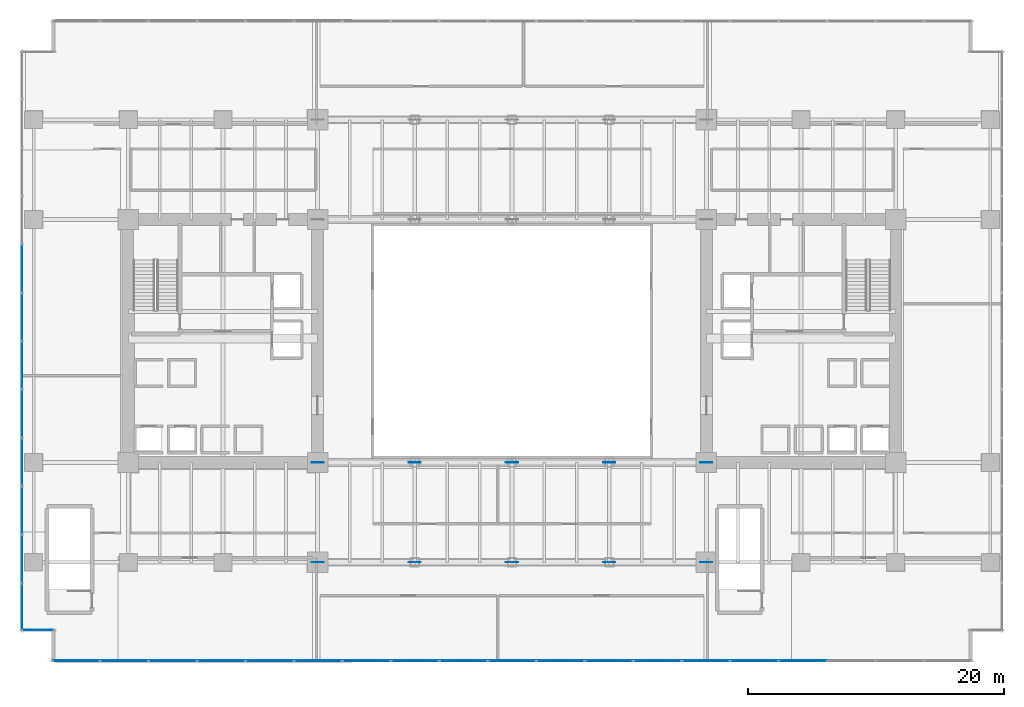
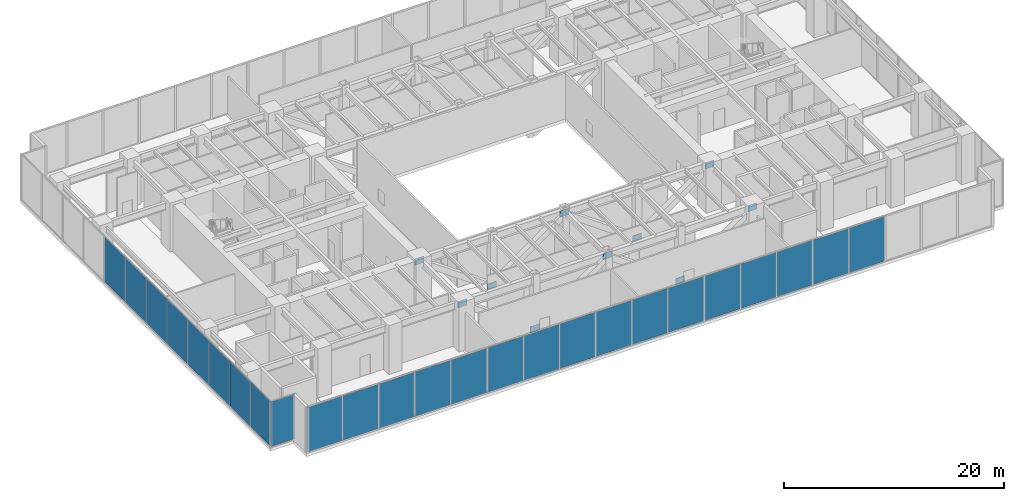
# One storey, part 24 of 35: 35 plates, 3 elements without a shape of their own.
"""IFC4 building model written with IfcOpenShell, lengths in metres."""

from ifc_helpers import new_model, si_unit, direction, frame, origin, origin_2d, place, context, subcontext, project, spatial, rectangle, extrude, source, transform, mapped, material, layer, layer_set, type_object, type_shapes, element, aggregate, save


model = new_model("IFC4")

# Units and contexts
model_context = context("Model", 3, precision=1e-05, world=origin(), true_north=direction((0.0, 1.0)))
body_context = subcontext(model_context, "Body", "Model", "MODEL_VIEW")
ifc_project = project(units=[si_unit("LENGTHUNIT", "METRE"), si_unit("AREAUNIT", "SQUARE_METRE"), si_unit("VOLUMEUNIT", "CUBIC_METRE"), si_unit("PLANEANGLEUNIT", "RADIAN"), si_unit("MASSUNIT", "GRAM", prefix="KILO")], contexts=[model_context])

# Site, building, storey
site_placement = place(None, origin())
site = spatial("IfcSite", under=ifc_project, at=site_placement, CompositionType="ELEMENT")
building_placement = place(site_placement, origin())
building = spatial("IfcBuilding", under=site, at=building_placement, Name="Haelvirn Gate Laboratories", CompositionType="ELEMENT")
storey_placement = place(building_placement, frame((0.0, 0.0, 19.800048828125)))
storey = spatial("IfcBuildingStorey", under=building, at=storey_placement, Name="L05", CompositionType="ELEMENT", Elevation=19.800048828125)

# Plates
ifc_material_1 = material(Name="Steel SM420", Category="steel")
ifc_layer_1 = layer(ifc_material_1, 0.035888671875, Name="PL-NODE-TN1")
ifc_layer_set_1 = layer_set([ifc_layer_1], Name="Steel SM420")
plate_type_1 = type_object("IfcPlateType", Name="PL-NODE-TN1", PredefinedType="USERDEFINED", material=ifc_layer_set_1)
shared_shape_1 = source(origin(), body_context, "Body", "SweptSolid", [
    extrude(rectangle(XDim=0.949951171875, YDim=0.035888671875, at=origin_2d()), origin(), (0.0, 0.0, 1.0), 0.699951171875),
])
type_shapes(plate_type_1, [shared_shape_1])
for number, where, z_axis, x_axis, name in (
    (1, (22.199951171875, 7.0, 4.27978515625), (0.0, 0.0, 1.0), (1.0, 0.0, 0.0), "L05 Steel Truss Node Plate TN1"),
    (2, (29.800048828125, 7.0, -1.14990234375), (0.0, 0.0, 1.0), (1.0, 0.0, 0.0), "L05 Steel Truss Node Plate TN1"),
    (3, (37.39990234375, 7.0, 4.27978515625), (0.0, 0.0, 1.0), (1.0, 0.0, 0.0), "L05 Steel Truss Node Plate TN1"),
    (4, (45.0, 7.0, -1.14990234375), (0.0, 0.0, 1.0), (1.0, 0.0, 0.0), "L05 Steel Truss Node Plate TN1"),
    (5, (52.60009765625, 7.0, 4.27978515625), (0.0, 0.0, 1.0), (1.0, 0.0, 0.0), "L05 Steel Truss Node Plate TN1"),
    (6, (22.199951171875, 14.800048828125, 4.27978515625), (0.0, 0.0, 1.0), (1.0, 0.0, 0.0), "L05 Steel Truss Node Plate TN1"),
    (7, (29.800048828125, 14.800048828125, -1.14990234375), (0.0, 0.0, 1.0), (1.0, 0.0, 0.0), "L05 Steel Truss Node Plate TN1"),
    (8, (37.39990234375, 14.800048828125, 4.27978515625), (0.0, 0.0, 1.0), (1.0, 0.0, 0.0), "L05 Steel Truss Node Plate TN1"),
    (9, (45.0, 14.800048828125, -1.14990234375), (0.0, 0.0, 1.0), (1.0, 0.0, 0.0), "L05 Steel Truss Node Plate TN1"),
    (10, (52.60009765625, 14.800048828125, 4.27978515625), (0.0, 0.0, 1.0), (1.0, 0.0, 0.0), "L05 Steel Truss Node Plate TN1"),
):
    element("IfcPlate", number, at=place(storey_placement, frame(where, z_axis=z_axis, x_axis=x_axis)), inside=storey, type_object=plate_type_1, Name=name, ObjectType="GUSSET_PLATE", PredefinedType="USERDEFINED", context=body_context, shape_type="MappedRepresentation", body=[
        mapped(shared_shape_1, transform((0.0, 0.0, 0.0), scale=1.0)),
    ])

# Curtain wall, plates
ifc_material_2 = material(Name="Anodised bronze unitised aluminium & triple low-E glass", Category="aluminium")
ifc_layer_2 = layer(ifc_material_2, 0.18798828125, Name="CW-SYS-1")
ifc_layer_set_2 = layer_set([ifc_layer_2], Name="Anodised bronze unitised aluminium & triple low-E glass")
curtain_wall_type_1 = type_object("IfcCurtainWallType", Name="CW-SYS-1", PredefinedType="NOTDEFINED", material=ifc_layer_set_2)
curtain_wall_1_placement = place(storey_placement, origin())
curtain_wall_1 = element("IfcCurtainWall", 11, at=curtain_wall_1_placement, inside=storey, type_object=curtain_wall_type_1, Name="L05 Unitised Curtain Wall CW-L05-P0-E00-1", PredefinedType="NOTDEFINED")
ifc_material_3 = material(Name="Bronze solar-control triple low-E IGU 48 mm", Category="glass")
ifc_layer_3 = layer(ifc_material_3, 0.048095703125, Name="CWP-IGU-48")
ifc_layer_set_3 = layer_set([ifc_layer_3], Name="Bronze solar-control triple low-E IGU 48 mm")
plate_type_2 = type_object("IfcPlateType", Name="CWP-IGU-48", PredefinedType="CURTAIN_PANEL", material=ifc_layer_set_3)
shared_shape_2 = source(origin(), body_context, "Body", "SweptSolid", [
    extrude(rectangle(XDim=3.66943359375, YDim=0.048095703125, at=origin_2d()), origin(), (0.0, 0.0, 1.0), 4.93994140625),
])
plate_1_placement = place(storey_placement, frame((3.314697265625, -0.699951171875, 0.070068359375), z_axis=(0.0, 0.0, 1.0), x_axis=(1.0, 0.0, 0.0)))
plate_1 = element("IfcPlate", 12, at=plate_1_placement, type_object=plate_type_2, Name="CW1 panel 1.1", PredefinedType="CURTAIN_PANEL", context=body_context, shape_type="MappedRepresentation", body=[
    mapped(shared_shape_2, transform((0.0, 0.0, 0.0), scale=1.0)),
])
shared_shape_3 = source(origin(), body_context, "Body", "SweptSolid", [
    extrude(rectangle(XDim=3.70947265625, YDim=0.048095703125, at=origin_2d()), origin(), (0.0, 0.0, 1.0), 4.93994140625),
])
plate_2_placement = place(storey_placement, frame((7.084228515625, -0.699951171875, 0.070068359375), z_axis=(0.0, 0.0, 1.0), x_axis=(1.0, 0.0, 0.0)))
plate_2 = element("IfcPlate", 13, at=plate_2_placement, type_object=plate_type_2, Name="CW1 panel 2.1", PredefinedType="CURTAIN_PANEL", context=body_context, shape_type="MappedRepresentation", body=[
    mapped(shared_shape_3, transform((0.0, 0.0, 0.0), scale=1.0)),
])
plate_3_placement = place(storey_placement, frame((10.873779296875, -0.699951171875, 0.070068359375), z_axis=(0.0, 0.0, 1.0), x_axis=(1.0, 0.0, 0.0)))
plate_3 = element("IfcPlate", 14, at=plate_3_placement, type_object=plate_type_2, Name="CW1 panel 3.1", PredefinedType="CURTAIN_PANEL", context=body_context, shape_type="MappedRepresentation", body=[
    mapped(shared_shape_3, transform((0.0, 0.0, 0.0), scale=1.0)),
])
plate_4_placement = place(storey_placement, frame((14.6630859375, -0.699951171875, 0.070068359375), z_axis=(0.0, 0.0, 1.0), x_axis=(1.0, 0.0, 0.0)))
plate_4 = element("IfcPlate", 15, at=plate_4_placement, type_object=plate_type_2, Name="CW1 panel 4.1", PredefinedType="CURTAIN_PANEL", context=body_context, shape_type="MappedRepresentation", body=[
    mapped(shared_shape_3, transform((0.0, 0.0, 0.0), scale=1.0)),
])
plate_5_placement = place(storey_placement, frame((18.45263671875, -0.699951171875, 0.070068359375), z_axis=(0.0, 0.0, 1.0), x_axis=(1.0, 0.0, 0.0)))
plate_5 = element("IfcPlate", 16, at=plate_5_placement, type_object=plate_type_2, Name="CW1 panel 5.1", PredefinedType="CURTAIN_PANEL", context=body_context, shape_type="MappedRepresentation", body=[
    mapped(shared_shape_3, transform((0.0, 0.0, 0.0), scale=1.0)),
])
plate_6_placement = place(storey_placement, frame((22.2421875, -0.699951171875, 0.070068359375), z_axis=(0.0, 0.0, 1.0), x_axis=(1.0, 0.0, 0.0)))
plate_6 = element("IfcPlate", 17, at=plate_6_placement, type_object=plate_type_2, Name="CW1 panel 6.1", PredefinedType="CURTAIN_PANEL", context=body_context, shape_type="MappedRepresentation", body=[
    mapped(shared_shape_3, transform((0.0, 0.0, 0.0), scale=1.0)),
])
plate_7_placement = place(storey_placement, frame((26.031494140625, -0.699951171875, 0.070068359375), z_axis=(0.0, 0.0, 1.0), x_axis=(1.0, 0.0, 0.0)))
plate_7 = element("IfcPlate", 18, at=plate_7_placement, type_object=plate_type_2, Name="CW1 panel 7.1", PredefinedType="CURTAIN_PANEL", context=body_context, shape_type="MappedRepresentation", body=[
    mapped(shared_shape_3, transform((0.0, 0.0, 0.0), scale=1.0)),
])
plate_8_placement = place(storey_placement, frame((29.821044921875, -0.699951171875, 0.070068359375), z_axis=(0.0, 0.0, 1.0), x_axis=(1.0, 0.0, 0.0)))
plate_8 = element("IfcPlate", 19, at=plate_8_placement, type_object=plate_type_2, Name="CW1 panel 8.1", PredefinedType="CURTAIN_PANEL", context=body_context, shape_type="MappedRepresentation", body=[
    mapped(shared_shape_3, transform((0.0, 0.0, 0.0), scale=1.0)),
])
plate_9_placement = place(storey_placement, frame((33.610595703125, -0.699951171875, 0.070068359375), z_axis=(0.0, 0.0, 1.0), x_axis=(1.0, 0.0, 0.0)))
plate_9 = element("IfcPlate", 20, at=plate_9_placement, type_object=plate_type_2, Name="CW1 panel 9.1", PredefinedType="CURTAIN_PANEL", context=body_context, shape_type="MappedRepresentation", body=[
    mapped(shared_shape_3, transform((0.0, 0.0, 0.0), scale=1.0)),
])
plate_10_placement = place(storey_placement, frame((37.39990234375, -0.699951171875, 0.070068359375), z_axis=(0.0, 0.0, 1.0), x_axis=(1.0, 0.0, 0.0)))
plate_10 = element("IfcPlate", 21, at=plate_10_placement, type_object=plate_type_2, Name="CW1 panel 10.1", PredefinedType="CURTAIN_PANEL", context=body_context, shape_type="MappedRepresentation", body=[
    mapped(shared_shape_3, transform((0.0, 0.0, 0.0), scale=1.0)),
])
plate_11_placement = place(storey_placement, frame((41.189453125, -0.699951171875, 0.070068359375), z_axis=(0.0, 0.0, 1.0), x_axis=(1.0, 0.0, 0.0)))
plate_11 = element("IfcPlate", 22, at=plate_11_placement, type_object=plate_type_2, Name="CW1 panel 11.1", PredefinedType="CURTAIN_PANEL", context=body_context, shape_type="MappedRepresentation", body=[
    mapped(shared_shape_3, transform((0.0, 0.0, 0.0), scale=1.0)),
])
plate_12_placement = place(storey_placement, frame((44.97900390625, -0.699951171875, 0.070068359375), z_axis=(0.0, 0.0, 1.0), x_axis=(1.0, 0.0, 0.0)))
plate_12 = element("IfcPlate", 23, at=plate_12_placement, type_object=plate_type_2, Name="CW1 panel 12.1", PredefinedType="CURTAIN_PANEL", context=body_context, shape_type="MappedRepresentation", body=[
    mapped(shared_shape_3, transform((0.0, 0.0, 0.0), scale=1.0)),
])
plate_13_placement = place(storey_placement, frame((48.768310546875, -0.699951171875, 0.070068359375), z_axis=(0.0, 0.0, 1.0), x_axis=(1.0, 0.0, 0.0)))
plate_13 = element("IfcPlate", 24, at=plate_13_placement, type_object=plate_type_2, Name="CW1 panel 13.1", PredefinedType="CURTAIN_PANEL", context=body_context, shape_type="MappedRepresentation", body=[
    mapped(shared_shape_3, transform((0.0, 0.0, 0.0), scale=1.0)),
])
plate_14_placement = place(storey_placement, frame((52.557861328125, -0.699951171875, 0.070068359375), z_axis=(0.0, 0.0, 1.0), x_axis=(1.0, 0.0, 0.0)))
plate_14 = element("IfcPlate", 25, at=plate_14_placement, type_object=plate_type_2, Name="CW1 panel 14.1", PredefinedType="CURTAIN_PANEL", context=body_context, shape_type="MappedRepresentation", body=[
    mapped(shared_shape_3, transform((0.0, 0.0, 0.0), scale=1.0)),
])
plate_15_placement = place(storey_placement, frame((56.347412109375, -0.699951171875, 0.070068359375), z_axis=(0.0, 0.0, 1.0), x_axis=(1.0, 0.0, 0.0)))
plate_15 = element("IfcPlate", 26, at=plate_15_placement, type_object=plate_type_2, Name="CW1 panel 15.1", PredefinedType="CURTAIN_PANEL", context=body_context, shape_type="MappedRepresentation", body=[
    mapped(shared_shape_3, transform((0.0, 0.0, 0.0), scale=1.0)),
])
plate_16_placement = place(storey_placement, frame((60.136962890625, -0.699951171875, 0.070068359375), z_axis=(0.0, 0.0, 1.0), x_axis=(1.0, 0.0, 0.0)))
plate_16 = element("IfcPlate", 27, at=plate_16_placement, type_object=plate_type_2, Name="CW1 panel 16.1", PredefinedType="CURTAIN_PANEL", context=body_context, shape_type="MappedRepresentation", body=[
    mapped(shared_shape_3, transform((0.0, 0.0, 0.0), scale=1.0)),
])
aggregate(curtain_wall_1, [plate_1, plate_2, plate_3, plate_4, plate_5, plate_6, plate_7, plate_8, plate_9, plate_10, plate_11, plate_12, plate_13, plate_14, plate_15, plate_16])

# Curtain wall, plate
ifc_layer_4 = layer(ifc_material_2, 0.181884765625, Name="CW-SYS-5")
ifc_layer_set_4 = layer_set([ifc_layer_4], Name="Anodised bronze unitised aluminium & triple low-E glass")
curtain_wall_type_2 = type_object("IfcCurtainWallType", Name="CW-SYS-5", PredefinedType="NOTDEFINED", material=ifc_layer_set_4)
curtain_wall_2_placement = place(storey_placement, origin())
curtain_wall_2 = element("IfcCurtainWall", 28, at=curtain_wall_2_placement, inside=storey, type_object=curtain_wall_type_2, Name="L05 Unitised Curtain Wall CW-L05-P0-E10-1", PredefinedType="NOTDEFINED")
ifc_material_4 = material(Name="Clear low-iron notched-corner triple IGU 42 mm", Category="glass")
ifc_layer_5 = layer(ifc_material_4, 0.0419921875, Name="CWP-NTC-42")
ifc_layer_set_5 = layer_set([ifc_layer_5], Name="Clear low-iron notched-corner triple IGU 42 mm")
plate_type_3 = type_object("IfcPlateType", Name="CWP-NTC-42", PredefinedType="CURTAIN_PANEL", material=ifc_layer_set_5)
shared_shape_4 = source(origin(), body_context, "Body", "SweptSolid", [
    extrude(rectangle(XDim=2.47998046875, YDim=0.0419921875, at=origin_2d()), origin(), (0.0, 0.0, 1.0), 4.949951171875),
])
type_shapes(plate_type_3, [shared_shape_4])
plate_17_placement = place(storey_placement, frame((0.320068359375, 1.699951171875, 0.06494140625), z_axis=(0.0, 0.0, 1.0), x_axis=(1.0, 0.0, 0.0)))
plate_17 = element("IfcPlate", 29, at=plate_17_placement, type_object=plate_type_3, Name="CW5 panel 1.1", PredefinedType="CURTAIN_PANEL", context=body_context, shape_type="MappedRepresentation", body=[
    mapped(shared_shape_4, transform((0.0, 0.0, 0.0), scale=1.0)),
])
aggregate(curtain_wall_2, [plate_17])

# Curtain wall, plates
curtain_wall_3_placement = place(storey_placement, origin())
curtain_wall_3 = element("IfcCurtainWall", 30, at=curtain_wall_3_placement, inside=storey, type_object=curtain_wall_type_1, Name="L05 Unitised Curtain Wall CW-L05-P0-E09", PredefinedType="NOTDEFINED")
shared_shape_5 = source(origin(), body_context, "Body", "SweptSolid", [
    extrude(rectangle(XDim=3.663330078125, YDim=0.048095703125, at=origin_2d()), origin(), (0.0, 0.0, 1.0), 4.93994140625),
])
plate_18_placement = place(storey_placement, frame((-0.89990234375, 3.51171875, 0.070068359375), z_axis=(0.0, 0.0, 1.0), x_axis=(0.0, -1.0, 0.0)))
plate_18 = element("IfcPlate", 31, at=plate_18_placement, type_object=plate_type_2, Name="CW1 panel 12.1", PredefinedType="CURTAIN_PANEL", context=body_context, shape_type="MappedRepresentation", body=[
    mapped(shared_shape_5, transform((0.0, 0.0, 0.0), scale=1.0)),
])
shared_shape_6 = source(origin(), body_context, "Body", "SweptSolid", [
    extrude(rectangle(XDim=3.703369140625, YDim=0.048095703125, at=origin_2d()), origin(), (0.0, 0.0, 1.0), 4.93994140625),
])
type_shapes(plate_type_2, [shared_shape_2, shared_shape_3, shared_shape_5, shared_shape_6])
plate_19_placement = place(storey_placement, frame((-0.89990234375, 29.97509765625, 0.070068359375), z_axis=(0.0, 0.0, 1.0), x_axis=(0.0, -1.0, 0.0)))
plate_19 = element("IfcPlate", 32, at=plate_19_placement, type_object=plate_type_2, Name="CW1 panel 5.1", PredefinedType="CURTAIN_PANEL", context=body_context, shape_type="MappedRepresentation", body=[
    mapped(shared_shape_6, transform((0.0, 0.0, 0.0), scale=1.0)),
])
plate_20_placement = place(storey_placement, frame((-0.89990234375, 26.191650390625, 0.070068359375), z_axis=(0.0, 0.0, 1.0), x_axis=(0.0, -1.0, 0.0)))
plate_20 = element("IfcPlate", 33, at=plate_20_placement, type_object=plate_type_2, Name="CW1 panel 6.1", PredefinedType="CURTAIN_PANEL", context=body_context, shape_type="MappedRepresentation", body=[
    mapped(shared_shape_6, transform((0.0, 0.0, 0.0), scale=1.0)),
])
plate_21_placement = place(storey_placement, frame((-0.89990234375, 22.408447265625, 0.070068359375), z_axis=(0.0, 0.0, 1.0), x_axis=(0.0, -1.0, 0.0)))
plate_21 = element("IfcPlate", 34, at=plate_21_placement, type_object=plate_type_2, Name="CW1 panel 7.1", PredefinedType="CURTAIN_PANEL", context=body_context, shape_type="MappedRepresentation", body=[
    mapped(shared_shape_6, transform((0.0, 0.0, 0.0), scale=1.0)),
])
plate_22_placement = place(storey_placement, frame((-0.89990234375, 18.625, 0.070068359375), z_axis=(0.0, 0.0, 1.0), x_axis=(0.0, -1.0, 0.0)))
plate_22 = element("IfcPlate", 35, at=plate_22_placement, type_object=plate_type_2, Name="CW1 panel 8.1", PredefinedType="CURTAIN_PANEL", context=body_context, shape_type="MappedRepresentation", body=[
    mapped(shared_shape_6, transform((0.0, 0.0, 0.0), scale=1.0)),
])
plate_23_placement = place(storey_placement, frame((-0.89990234375, 14.841552734375, 0.070068359375), z_axis=(0.0, 0.0, 1.0), x_axis=(0.0, -1.0, 0.0)))
plate_23 = element("IfcPlate", 36, at=plate_23_placement, type_object=plate_type_2, Name="CW1 panel 9.1", PredefinedType="CURTAIN_PANEL", context=body_context, shape_type="MappedRepresentation", body=[
    mapped(shared_shape_6, transform((0.0, 0.0, 0.0), scale=1.0)),
])
plate_24_placement = place(storey_placement, frame((-0.89990234375, 11.058349609375, 0.070068359375), z_axis=(0.0, 0.0, 1.0), x_axis=(0.0, -1.0, 0.0)))
plate_24 = element("IfcPlate", 37, at=plate_24_placement, type_object=plate_type_2, Name="CW1 panel 10.1", PredefinedType="CURTAIN_PANEL", context=body_context, shape_type="MappedRepresentation", body=[
    mapped(shared_shape_6, transform((0.0, 0.0, 0.0), scale=1.0)),
])
plate_25_placement = place(storey_placement, frame((-0.89990234375, 7.27490234375, 0.070068359375), z_axis=(0.0, 0.0, 1.0), x_axis=(0.0, -1.0, 0.0)))
plate_25 = element("IfcPlate", 38, at=plate_25_placement, type_object=plate_type_2, Name="CW1 panel 11.1", PredefinedType="CURTAIN_PANEL", context=body_context, shape_type="MappedRepresentation", body=[
    mapped(shared_shape_6, transform((0.0, 0.0, 0.0), scale=1.0)),
])
aggregate(curtain_wall_3, [plate_19, plate_20, plate_21, plate_22, plate_23, plate_24, plate_25, plate_18])

save(model, "model.ifc")
